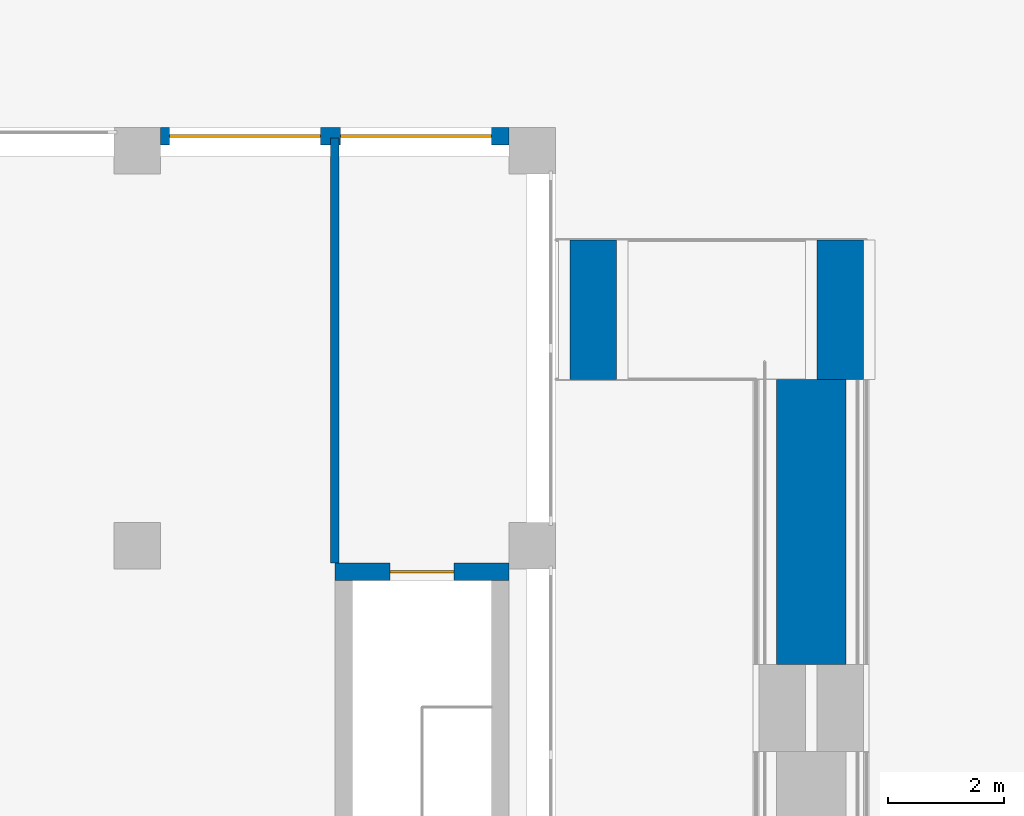
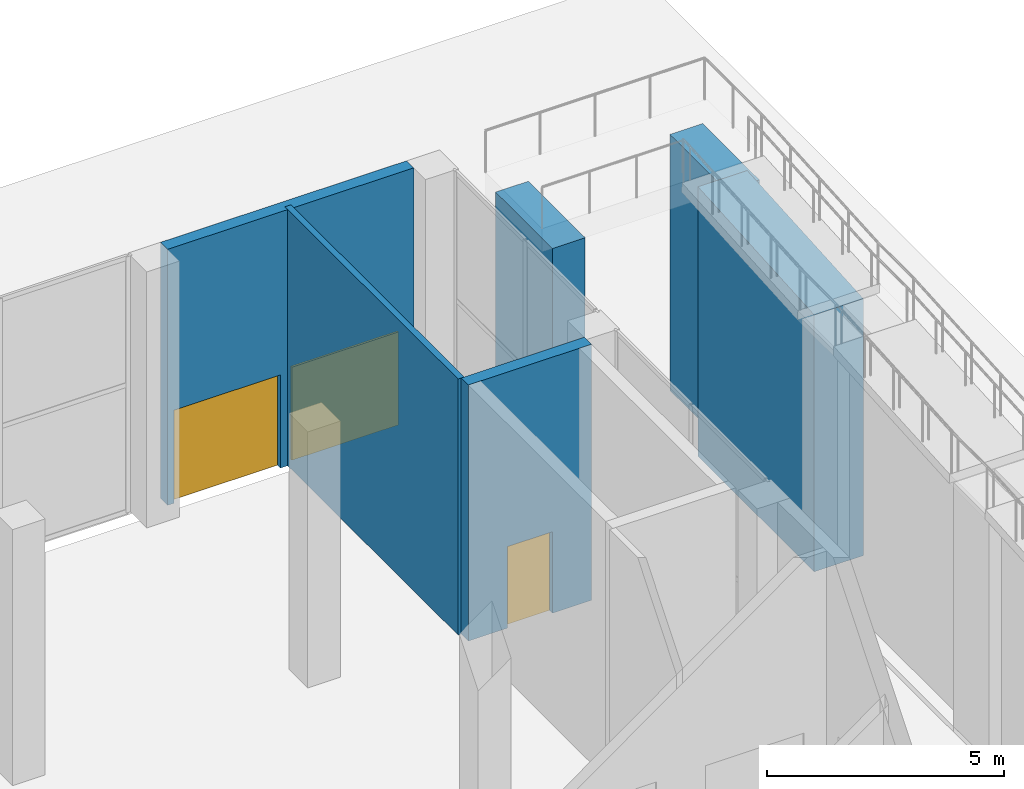
# One storey, part 30 of 44: 6 walls, 3 doors, 3 openings.
"""IFC4 building model written with IfcOpenShell, lengths in metres."""

from ifc_helpers import new_model, si_unit, direction, frame, frame_2d, origin, place, context, subcontext, project, spatial, polyline, rectangle, outline, extrude, material, layer, layer_set, type_object, element, fill, save


model = new_model("IFC4")

# Units and contexts
model_context = context("Model", 3, precision=1e-05, world=origin(), true_north=direction((0.0, 1.0)))
body_context = subcontext(model_context, "Body", "Model", "MODEL_VIEW")
ifc_project = project(units=[si_unit("LENGTHUNIT", "METRE"), si_unit("AREAUNIT", "SQUARE_METRE"), si_unit("VOLUMEUNIT", "CUBIC_METRE"), si_unit("PLANEANGLEUNIT", "RADIAN"), si_unit("MASSUNIT", "GRAM", prefix="KILO")], contexts=[model_context])

# Site, building, storey
site_placement = place(None, origin())
site = spatial("IfcSite", under=ifc_project, at=site_placement, CompositionType="ELEMENT")
building_placement = place(site_placement, origin())
building = spatial("IfcBuilding", under=site, at=building_placement, Name="Fustian Cross Tower", CompositionType="ELEMENT")
storey_placement = place(building_placement, origin())
storey = spatial("IfcBuildingStorey", under=building, at=storey_placement, Name="L00", CompositionType="ELEMENT", Elevation=0.0)

# Wall
ifc_material_1 = material(Name="Plasterboard on steel stud", Category="steel")
ifc_layer_1 = layer(ifc_material_1, 0.14990234375)
ifc_layer_set_1 = layer_set([ifc_layer_1], Name="Plasterboard on steel stud")
wall_type_1 = type_object("IfcWallType", Name="COMPARTMENT WALL 150 EI 60", PredefinedType="PARTITIONING", material=ifc_layer_set_1)
wall_1_placement = place(storey_placement, frame((46.60009765625, 42.89990234375, 0.0), z_axis=(0.0, 0.0, 1.0), x_axis=(0.0, 1.0, 0.0)))
element("IfcWall", 1, at=wall_1_placement, inside=storey, type_object=wall_type_1, Name="Partition 154", PredefinedType="PARTITIONING", context=body_context, shape_type="SweptSolid", body=[
    extrude(rectangle(XDim=7.320068359375, YDim=0.14990234375, at=frame_2d((3.66015625, 0.0))), origin(), (0.0, 0.0, 1.0), 6.60009765625),
])

# Wall, openings, doors
ifc_material_2 = material(Name="Dark rainscreen cladding on blockwork", Category="masonry")
ifc_layer_2 = layer(ifc_material_2, 0.300048828125)
ifc_layer_set_2 = layer_set([ifc_layer_2], Name="Dark rainscreen cladding on blockwork")
wall_type_2 = type_object("IfcWallType", Name="EXTERNAL WALL 300 CLADDING", PredefinedType="SOLIDWALL", material=ifc_layer_set_2)
wall_2_placement = place(storey_placement, frame((49.60009765625, 50.25, 0.0), z_axis=(0.0, 0.0, 1.0), x_axis=(-1.0, 0.0, 0.0)))
wall_2 = element("IfcWall", 2, at=wall_2_placement, inside=storey, type_object=wall_type_2, Name="External wall N1", PredefinedType="SOLIDWALL", context=body_context, shape_type="SweptSolid", body=[
    extrude(rectangle(XDim=6.0, YDim=0.300048828125, at=frame_2d((3.0, 0.0))), origin(), (0.0, 0.0, 1.0), 6.60009765625),
])
opening_1_placement = place(wall_2_placement, frame((0.300048828125, 0.0, 0.0)))
opening_1 = element("IfcOpeningElement", 3, at=opening_1_placement, cuts=wall_2, Name="Opening EDP29", PredefinedType="OPENING", context=body_context, shape_type="SweptSolid", body=[
    extrude(rectangle(XDim=2.60009765625, YDim=2.39990234375, at=frame_2d((1.300048828125, 1.199951171875))), frame((0.0, 0.159912109375, 0.0), z_axis=(0.0, -1.0, 0.0), x_axis=(1.0, 0.0, 0.0)), (0.0, 0.0, 1.0), 0.320068359375),
])
opening_2_placement = place(wall_2_placement, frame((3.25, 0.0, 0.0)))
opening_2 = element("IfcOpeningElement", 4, at=opening_2_placement, cuts=wall_2, Name="Opening EDP30", PredefinedType="OPENING", context=body_context, shape_type="SweptSolid", body=[
    extrude(rectangle(XDim=2.60009765625, YDim=2.39990234375, at=frame_2d((1.300048828125, 1.199951171875))), frame((0.0, 0.159912109375, 0.0), z_axis=(0.0, -1.0, 0.0), x_axis=(1.0, 0.0, 0.0)), (0.0, 0.0, 1.0), 0.320068359375),
])
ifc_material_3 = material(Name="Aluminium and glass", Category="aluminium")
door_type_1 = type_object("IfcDoorType", Name="ENTRANCE DOOR 2600", OperationType="DOUBLE_DOOR_SINGLE_SWING", PredefinedType="DOOR", material=ifc_material_3)
door_1_placement = place(opening_1_placement, frame((2.60009765625, 0.0, 0.0), z_axis=(0.0, 0.0, 1.0), x_axis=(-1.0, 0.0, 0.0)))
door_1 = element("IfcDoor", 5, at=door_1_placement, inside=storey, type_object=door_type_1, Name="Exit door 29", OperationType="DOUBLE_DOOR_DOUBLE_SWING", OverallHeight=2.39990234375, OverallWidth=2.60009765625, PredefinedType="DOOR", context=body_context, shape_type="SweptSolid", body=[
    extrude(rectangle(XDim=2.60009765625, YDim=2.39990234375, at=frame_2d((1.300048828125, 1.199951171875))), frame((0.0, 0.02490234375, 0.0), z_axis=(0.0, -1.0, 0.0), x_axis=(1.0, 0.0, 0.0)), (0.0, 0.0, 1.0), 0.050048828125),
])
fill(opening_1, door_1)
door_2_placement = place(opening_2_placement, frame((2.60009765625, 0.0, 0.0), z_axis=(0.0, 0.0, 1.0), x_axis=(-1.0, 0.0, 0.0)))
door_2 = element("IfcDoor", 6, at=door_2_placement, inside=storey, type_object=door_type_1, Name="Exit door 30", OperationType="DOUBLE_DOOR_DOUBLE_SWING", OverallHeight=2.39990234375, OverallWidth=2.60009765625, PredefinedType="DOOR", context=body_context, shape_type="SweptSolid", body=[
    extrude(rectangle(XDim=2.60009765625, YDim=2.39990234375, at=frame_2d((1.300048828125, 1.199951171875))), frame((0.0, 0.02490234375, 0.0), z_axis=(0.0, -1.0, 0.0), x_axis=(1.0, 0.0, 0.0)), (0.0, 0.0, 1.0), 0.050048828125),
])
fill(opening_2, door_2)

# Walls
ifc_material_4 = material(Name="Concrete C40/50", Category="concrete")
ifc_layer_3 = layer(ifc_material_4, 1.199951171875)
ifc_layer_set_3 = layer_set([ifc_layer_3], Name="Concrete C40/50")
wall_type_3 = type_object("IfcWallType", Name="RAMP BANK WALL 1200", PredefinedType="SOLIDWALL", material=ifc_layer_set_3)
wall_3_placement = place(storey_placement, frame((54.800048828125, 41.154541015625, 0.0), z_axis=(0.0, 0.0, 1.0), x_axis=(0.0, 1.0, 0.0)))
element("IfcWall", 7, at=wall_3_placement, inside=storey, type_object=wall_type_3, Name="Ramp bank wall 22", PredefinedType="SOLIDWALL", context=body_context, shape_type="SweptSolid", body=[
    extrude(outline(polyline([(0.0, 0.0), (4.9091796875, 0.0), (4.9091796875, 6.949462890625), (0.0, 6.6220703125), (0.0, 0.0)])), frame((0.0, 0.60009765625, 0.0), z_axis=(0.0, -1.0, 0.0), x_axis=(1.0, 0.0, 0.0)), (0.0, 0.0, 1.0), 1.199951171875),
])
ifc_material_5 = material(Name="Concrete C40/50", Category="concrete")
ifc_layer_4 = layer(ifc_material_5, 0.800048828125)
ifc_layer_set_4 = layer_set([ifc_layer_4], Name="Concrete C40/50")
wall_type_4 = type_object("IfcWallType", Name="RAMP LANDING PIER 800", PredefinedType="SOLIDWALL", material=ifc_layer_set_4)
for number, where, z_axis, x_axis, name in (
    (8, (51.050048828125, 46.063720703125, 0.0), (0.0, 0.0, 1.0), (0.0, 1.0, 0.0), "Ramp top landing pier W"),
    (9, (55.300048828125, 46.063720703125, 0.0), (0.0, 0.0, 1.0), (0.0, 1.0, 0.0), "Ramp top landing pier E"),
):
    element("IfcWall", number, at=place(storey_placement, frame(where, z_axis=z_axis, x_axis=x_axis)), inside=storey, type_object=wall_type_4, Name=name, PredefinedType="SOLIDWALL", context=body_context, shape_type="SweptSolid", body=[
        extrude(rectangle(XDim=2.39990234375, YDim=0.800048828125, at=frame_2d((1.199951171875, 0.0))), origin(), (0.0, 0.0, 1.0), 6.60009765625),
    ])

# Wall, opening, door
ifc_material_6 = material(Name="Concrete C50/60", Category="concrete")
ifc_layer_5 = layer(ifc_material_6, 0.300048828125)
ifc_layer_set_5 = layer_set([ifc_layer_5], Name="Concrete C50/60")
wall_type_5 = type_object("IfcWallType", Name="STAIR ENCLOSURE WALL 300 C50/60", PredefinedType="SHEAR", material=ifc_layer_set_5)
wall_4_placement = place(storey_placement, frame((46.60009765625, 42.75, 0.0), z_axis=(0.0, 0.0, 1.0), x_axis=(1.0, 0.0, 0.0)))
wall_4 = element("IfcWall", 10, at=wall_4_placement, inside=storey, type_object=wall_type_5, Name="Stair enclosure wall", PredefinedType="SHEAR", context=body_context, shape_type="SweptSolid", body=[
    extrude(rectangle(XDim=3.0, YDim=0.300048828125, at=frame_2d((1.5, 0.0))), origin(), (0.0, 0.0, 1.0), 6.60009765625),
])
opening_3_placement = place(wall_4_placement, frame((0.949951171875, 0.0, 0.0)))
opening_3 = element("IfcOpeningElement", 11, at=opening_3_placement, cuts=wall_4, Name="Opening CD-02-41", PredefinedType="OPENING", context=body_context, shape_type="SweptSolid", body=[
    extrude(rectangle(XDim=1.10009765625, YDim=2.10009765625, at=frame_2d((0.550048828125, 1.050048828125))), frame((0.0, 0.159912109375, 0.0), z_axis=(0.0, -1.0, 0.0), x_axis=(1.0, 0.0, 0.0)), (0.0, 0.0, 1.0), 0.320068359375),
])
ifc_material_7 = material(Name="Steel", Category="steel")
door_type_2 = type_object("IfcDoorType", Name="FIRE DOOR FD60S 1100X2100", OperationType="SINGLE_SWING_LEFT", PredefinedType="DOOR", material=ifc_material_7)
door_3_placement = place(opening_3_placement, frame((1.10009765625, 0.0, 0.0), z_axis=(0.0, 0.0, 1.0), x_axis=(-1.0, 0.0, 0.0)))
door_3 = element("IfcDoor", 12, at=door_3_placement, inside=storey, type_object=door_type_2, Name="Core door CD-02-41", OperationType="SINGLE_SWING_LEFT", OverallHeight=2.10009765625, OverallWidth=1.10009765625, PredefinedType="DOOR", context=body_context, shape_type="SweptSolid", body=[
    extrude(rectangle(XDim=1.10009765625, YDim=2.10009765625, at=frame_2d((0.550048828125, 1.050048828125))), frame((0.0, 0.02490234375, 0.0), z_axis=(0.0, -1.0, 0.0), x_axis=(1.0, 0.0, 0.0)), (0.0, 0.0, 1.0), 0.050048828125),
])
fill(opening_3, door_3)

save(model, "model.ifc")
